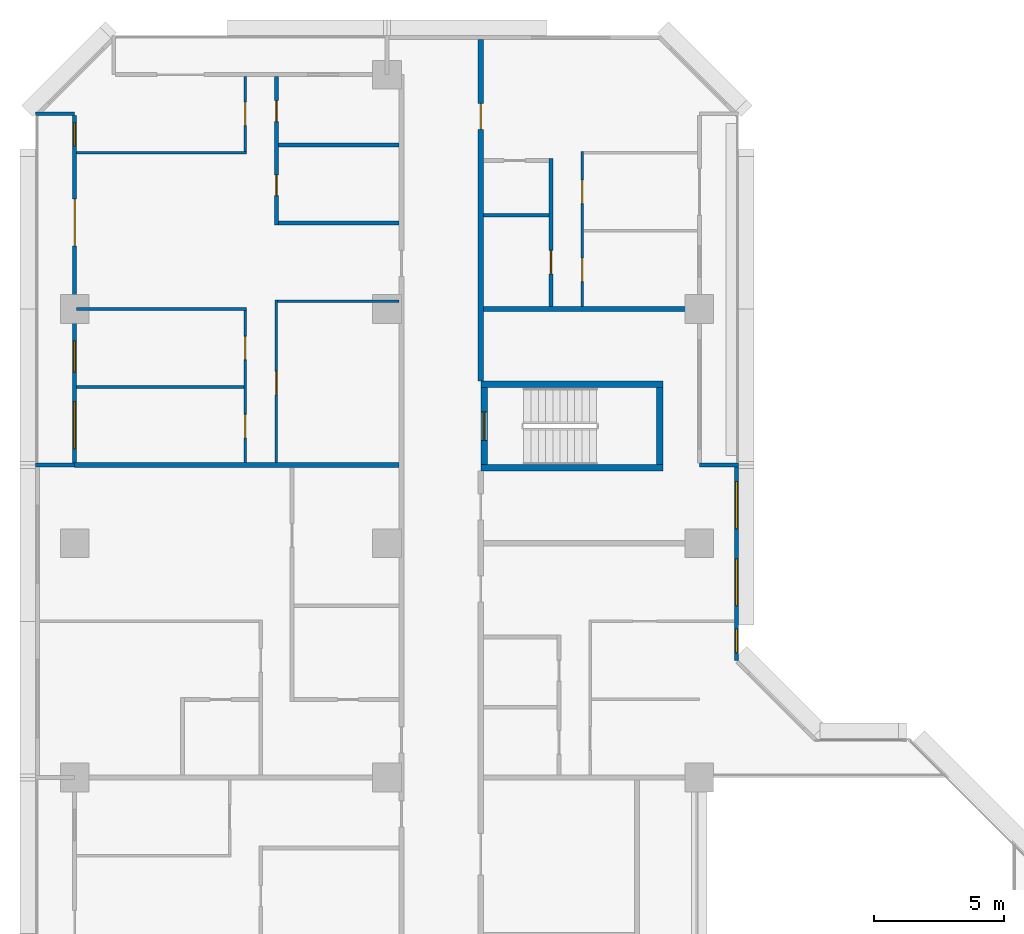
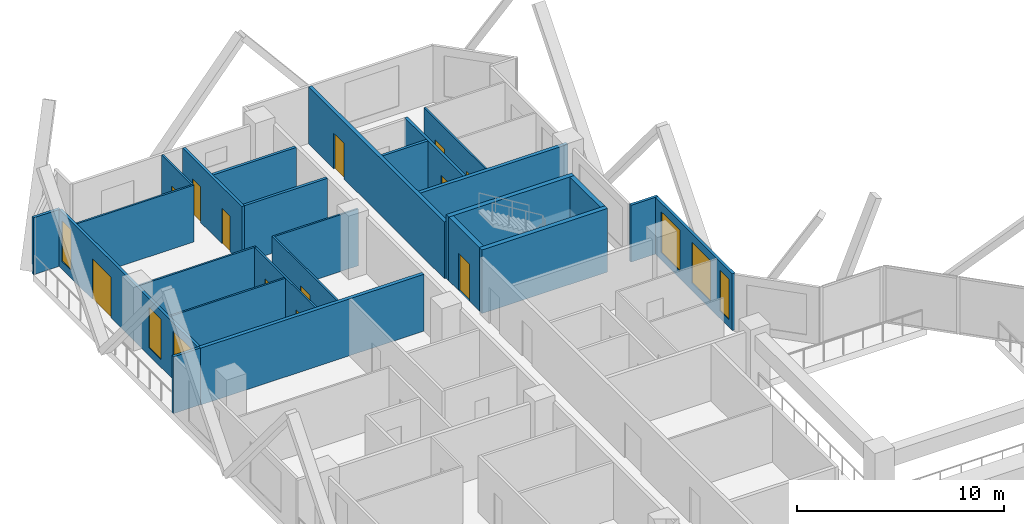
# One storey, part 10 of 16: 25 walls, 12 doors, 6 windows, 18 openings.
"""IFC4 building model written with IfcOpenShell, lengths in metres."""

from ifc_helpers import new_model, si_unit, direction, frame, frame_2d, origin, place, context, subcontext, project, spatial, rectangle, extrude, material, layer, layer_set, type_object, element, fill, save


model = new_model("IFC4")

# Units and contexts
model_context = context("Model", 3, precision=1e-05, world=origin(), true_north=direction((0.0, 1.0)))
body_context = subcontext(model_context, "Body", "Model", "MODEL_VIEW")
ifc_project = project(units=[si_unit("LENGTHUNIT", "METRE"), si_unit("AREAUNIT", "SQUARE_METRE"), si_unit("VOLUMEUNIT", "CUBIC_METRE"), si_unit("PLANEANGLEUNIT", "RADIAN"), si_unit("MASSUNIT", "GRAM", prefix="KILO")], contexts=[model_context])

# Site, building, storey
site_placement = place(None, origin())
site = spatial("IfcSite", under=ifc_project, at=site_placement, CompositionType="ELEMENT")
building_placement = place(site_placement, origin())
building = spatial("IfcBuilding", under=site, at=building_placement, Name="Chenar Terraces", CompositionType="ELEMENT")
storey_placement = place(building_placement, frame((0.0, 0.0, 78.89990234375)))
storey = spatial("IfcBuildingStorey", under=building, at=storey_placement, Name="L17", CompositionType="ELEMENT", Elevation=78.89990234375)

# Walls
ifc_material_1 = material(Name="Concrete C70/85", Category="concrete")
ifc_layer_1 = layer(ifc_material_1, 0.25)
ifc_layer_set_1 = layer_set([ifc_layer_1], Name="Concrete C70/85")
wall_type_1 = type_object("IfcWallType", Name="Core wall 250 Concrete C70/85", PredefinedType="SHEAR", material=ifc_layer_set_1)
for number, where, z_axis, x_axis, name in (
    (1, (15.60009765625, 47.89990234375, 0.0), (0.0, 0.0, 1.0), (1.0, 0.0, 0.0), "Core wall ST4_S L17"),
    (2, (15.60009765625, 51.10009765625, 0.0), (0.0, 0.0, 1.0), (1.0, 0.0, 0.0), "Core wall ST4_N L17"),
):
    element("IfcWall", number, at=place(storey_placement, frame(where, z_axis=z_axis, x_axis=x_axis)), inside=storey, type_object=wall_type_1, Name=name, PredefinedType="SHEAR", context=body_context, shape_type="SweptSolid", body=[
        extrude(rectangle(XDim=7.0, YDim=0.25, at=frame_2d((3.5, 0.0))), origin(), (0.0, 0.0, 1.0), 3.75),
    ])

# Wall, opening, door
wall_1_placement = place(storey_placement, frame((15.72509765625, 48.02490234375, 0.0), z_axis=(0.0, 0.0, 1.0), x_axis=(0.0, 1.0, 0.0)))
wall_1 = element("IfcWall", 3, at=wall_1_placement, inside=storey, type_object=wall_type_1, Name="Core wall ST4_W L17", PredefinedType="SHEAR", context=body_context, shape_type="SweptSolid", body=[
    extrude(rectangle(XDim=2.9501953125, YDim=0.25, at=frame_2d((1.47509765625, 0.0))), origin(), (0.0, 0.0, 1.0), 3.75),
])
opening_1_placement = place(wall_1_placement, frame((0.925048828125, 0.0, 0.0)))
opening_1 = element("IfcOpeningElement", 4, at=opening_1_placement, cuts=wall_1, Name="Opening DL17-C9", PredefinedType="OPENING", context=body_context, shape_type="SweptSolid", body=[
    extrude(rectangle(XDim=1.10009765625, YDim=2.199951171875, at=frame_2d((0.550048828125, 1.10009765625))), frame((0.0, 0.135009765625, 0.0), z_axis=(0.0, -1.0, 0.0), x_axis=(1.0, 0.0, 0.0)), (0.0, 0.0, 1.0), 0.27001953125),
])
ifc_material_2 = material(Name="Steel-framed fire-resisting door leaf", Category="steel")
door_type_1 = type_object("IfcDoorType", Name="Stair fire door FD60 1100 x 2200", OperationType="SINGLE_SWING_LEFT", PredefinedType="DOOR", material=ifc_material_2)
door_1_placement = place(opening_1_placement, frame((1.10009765625, 0.0, 0.0), z_axis=(0.0, 0.0, 1.0), x_axis=(-1.0, 0.0, 0.0)))
door_1 = element("IfcDoor", 5, at=door_1_placement, inside=storey, type_object=door_type_1, Name="Stair door DL17-C9", OperationType="SINGLE_SWING_RIGHT", OverallHeight=2.199951171875, OverallWidth=1.10009765625, PredefinedType="DOOR", context=body_context, shape_type="SweptSolid", body=[
    extrude(rectangle(XDim=1.10009765625, YDim=2.199951171875, at=frame_2d((0.550048828125, 1.10009765625))), frame((0.0, 0.02490234375, 0.0), z_axis=(0.0, -1.0, 0.0), x_axis=(1.0, 0.0, 0.0)), (0.0, 0.0, 1.0), 0.050048828125),
])
fill(opening_1, door_1)

# Wall
wall_2_placement = place(storey_placement, frame((22.47509765625, 48.02490234375, 0.0), z_axis=(0.0, 0.0, 1.0), x_axis=(0.0, 1.0, 0.0)))
element("IfcWall", 6, at=wall_2_placement, inside=storey, type_object=wall_type_1, Name="Core wall ST4_E L17", PredefinedType="SHEAR", context=body_context, shape_type="SweptSolid", body=[
    extrude(rectangle(XDim=2.9501953125, YDim=0.25, at=frame_2d((1.47509765625, 0.0))), origin(), (0.0, 0.0, 1.0), 3.75),
])

# Wall, opening, door
ifc_material_3 = material(Name="Gypsum board on steel studs with fire boards", Category="steel")
ifc_layer_2 = layer(ifc_material_3, 0.199951171875)
ifc_layer_set_2 = layer_set([ifc_layer_2], Name="Gypsum board on steel studs with fire boards")
wall_type_2 = type_object("IfcWallType", Name="Corridor wall 200", PredefinedType="PARTITIONING", material=ifc_layer_set_2)
wall_3_placement = place(storey_placement, frame((15.60009765625, 51.22509765625, 0.0), z_axis=(0.0, 0.0, 1.0), x_axis=(0.0, 1.0, 0.0)))
wall_3 = element("IfcWall", 7, at=wall_3_placement, inside=storey, type_object=wall_type_2, Name="Partition L17-038", PredefinedType="PARTITIONING", context=body_context, shape_type="SweptSolid", body=[
    extrude(rectangle(XDim=13.125, YDim=0.199951171875, at=frame_2d((6.5625, 0.0))), origin(), (0.0, 0.0, 1.0), 3.35009765625),
])
opening_2_placement = place(wall_3_placement, frame((9.675048828125, 0.0, 0.0)))
opening_2 = element("IfcOpeningElement", 8, at=opening_2_placement, cuts=wall_3, Name="Opening DL17-39", PredefinedType="OPENING", context=body_context, shape_type="SweptSolid", body=[
    extrude(rectangle(XDim=1.0, YDim=2.10009765625, at=frame_2d((0.5, 1.050048828125))), frame((0.0, 0.10986328125, 0.0), z_axis=(0.0, -1.0, 0.0), x_axis=(1.0, 0.0, 0.0)), (0.0, 0.0, 1.0), 0.219970703125),
])
ifc_material_4 = material(Name="Steel-framed fire-resisting door leaf", Category="steel")
door_type_2 = type_object("IfcDoorType", Name="Fire door FD30S 1000 x 2100", OperationType="SINGLE_SWING_LEFT", PredefinedType="DOOR", material=ifc_material_4)
door_2_placement = place(opening_2_placement, frame((1.0, 0.0, 0.0), z_axis=(0.0, 0.0, 1.0), x_axis=(-1.0, 0.0, 0.0)))
door_2 = element("IfcDoor", 9, at=door_2_placement, inside=storey, type_object=door_type_2, Name="Door DL17-39", OperationType="SINGLE_SWING_RIGHT", OverallHeight=2.10009765625, OverallWidth=1.0, PredefinedType="DOOR", context=body_context, shape_type="SweptSolid", body=[
    extrude(rectangle(XDim=1.0, YDim=2.10009765625, at=frame_2d((0.5, 1.050048828125))), frame((0.0, 0.02490234375, 0.0), z_axis=(0.0, -1.0, 0.0), x_axis=(1.0, 0.0, 0.0)), (0.0, 0.0, 1.0), 0.050048828125),
])
fill(opening_2, door_2)

# Wall, openings, windows
ifc_material_5 = material(Name="Aluminium framed glazing", Category="aluminium")
ifc_layer_3 = layer(ifc_material_5, 0.14990234375)
ifc_layer_set_3 = layer_set([ifc_layer_3], Name="Aluminium framed glazing")
wall_type_3 = type_object("IfcWallType", Name="Glazed flush facade wall 150", PredefinedType="SOLIDWALL", material=ifc_layer_set_3)
wall_4_placement = place(storey_placement, frame((25.425048828125, 40.5, 0.0), z_axis=(0.0, 0.0, 1.0), x_axis=(0.0, 1.0, 0.0)))
wall_4 = element("IfcWall", 10, at=wall_4_placement, inside=storey, type_object=wall_type_3, Name="Glazed flush facade wall", PredefinedType="SOLIDWALL", context=body_context, shape_type="SweptSolid", body=[
    extrude(rectangle(XDim=7.425048828125, YDim=0.14990234375, at=frame_2d((3.71240234375, 0.0))), origin(), (0.0, 0.0, 1.0), 3.35009765625),
])
opening_3_placement = place(wall_4_placement, frame((0.300048828125, 0.0, 0.449951171875)))
opening_3 = element("IfcOpeningElement", 11, at=opening_3_placement, cuts=wall_4, Name="Opening W90x240", PredefinedType="OPENING", context=body_context, shape_type="SweptSolid", body=[
    extrude(rectangle(XDim=0.89990234375, YDim=2.39990234375, at=frame_2d((0.449951171875, 1.199951171875))), frame((0.0, 0.0849609375, 0.0), z_axis=(0.0, -1.0, 0.0), x_axis=(1.0, 0.0, 0.0)), (0.0, 0.0, 1.0), 0.169921875),
])
opening_4_placement = place(wall_4_placement, frame((2.10009765625, 0.0, 0.449951171875)))
opening_4 = element("IfcOpeningElement", 12, at=opening_4_placement, cuts=wall_4, Name="Opening W180x240", PredefinedType="OPENING", context=body_context, shape_type="SweptSolid", body=[
    extrude(rectangle(XDim=1.800048828125, YDim=2.39990234375, at=frame_2d((0.89990234375, 1.199951171875))), frame((0.0, 0.0849609375, 0.0), z_axis=(0.0, -1.0, 0.0), x_axis=(1.0, 0.0, 0.0)), (0.0, 0.0, 1.0), 0.169921875),
])
opening_5_placement = place(wall_4_placement, frame((5.0625, 0.0, 0.449951171875)))
opening_5 = element("IfcOpeningElement", 13, at=opening_5_placement, cuts=wall_4, Name="Opening W180x240", PredefinedType="OPENING", context=body_context, shape_type="SweptSolid", body=[
    extrude(rectangle(XDim=1.800048828125, YDim=2.39990234375, at=frame_2d((0.89990234375, 1.199951171875))), frame((0.0, 0.0849609375, 0.0), z_axis=(0.0, -1.0, 0.0), x_axis=(1.0, 0.0, 0.0)), (0.0, 0.0, 1.0), 0.169921875),
])
ifc_material_6 = material(Name="Low emissivity double glazing, aluminium frame", Category="aluminium")
window_type_1 = type_object("IfcWindowType", Name="Fixed light 1800 x 2400", PartitioningType="SINGLE_PANEL", PredefinedType="WINDOW", material=ifc_material_6)
window_1_placement = place(opening_4_placement, origin())
window_1 = element("IfcWindow", 14, at=window_1_placement, inside=storey, type_object=window_type_1, Name="Window", OverallHeight=2.39990234375, OverallWidth=1.800048828125, PartitioningType="SINGLE_PANEL", PredefinedType="WINDOW", context=body_context, shape_type="SweptSolid", body=[
    extrude(rectangle(XDim=1.800048828125, YDim=2.39990234375, at=frame_2d((0.89990234375, 1.199951171875))), frame((0.0, 0.030029296875, 0.0), z_axis=(0.0, -1.0, 0.0), x_axis=(1.0, 0.0, 0.0)), (0.0, 0.0, 1.0), 0.06005859375),
])
fill(opening_4, window_1)
window_2_placement = place(opening_5_placement, origin())
window_2 = element("IfcWindow", 15, at=window_2_placement, inside=storey, type_object=window_type_1, Name="Window", OverallHeight=2.39990234375, OverallWidth=1.800048828125, PartitioningType="SINGLE_PANEL", PredefinedType="WINDOW", context=body_context, shape_type="SweptSolid", body=[
    extrude(rectangle(XDim=1.800048828125, YDim=2.39990234375, at=frame_2d((0.89990234375, 1.199951171875))), frame((0.0, 0.030029296875, 0.0), z_axis=(0.0, -1.0, 0.0), x_axis=(1.0, 0.0, 0.0)), (0.0, 0.0, 1.0), 0.06005859375),
])
fill(opening_5, window_2)
ifc_material_7 = material(Name="Low emissivity double glazing, aluminium frame", Category="aluminium")
window_type_2 = type_object("IfcWindowType", Name="Fixed light 900 x 2400", PartitioningType="SINGLE_PANEL", PredefinedType="WINDOW", material=ifc_material_7)
window_3_placement = place(opening_3_placement, origin())
window_3 = element("IfcWindow", 16, at=window_3_placement, inside=storey, type_object=window_type_2, Name="Window", OverallHeight=2.39990234375, OverallWidth=0.89990234375, PartitioningType="SINGLE_PANEL", PredefinedType="WINDOW", context=body_context, shape_type="SweptSolid", body=[
    extrude(rectangle(XDim=0.89990234375, YDim=2.39990234375, at=frame_2d((0.449951171875, 1.199951171875))), frame((0.0, 0.030029296875, 0.0), z_axis=(0.0, -1.0, 0.0), x_axis=(1.0, 0.0, 0.0)), (0.0, 0.0, 1.0), 0.06005859375),
])
fill(opening_3, window_3)

# Wall, openings, windows, door
ifc_material_8 = material(Name="Aluminium framed glazing", Category="aluminium")
ifc_layer_4 = layer(ifc_material_8, 0.14990234375)
ifc_layer_set_4 = layer_set([ifc_layer_4], Name="Aluminium framed glazing")
wall_type_4 = type_object("IfcWallType", Name="Glazed loggia back wall 150", PredefinedType="SOLIDWALL", material=ifc_layer_set_4)
wall_5_placement = place(storey_placement, frame((0.0, 61.425048828125, 0.0), z_axis=(0.0, 0.0, 1.0), x_axis=(0.0, -1.0, 0.0)))
wall_5 = element("IfcWall", 17, at=wall_5_placement, inside=storey, type_object=wall_type_4, Name="Glazed loggia back wall", PredefinedType="SOLIDWALL", context=body_context, shape_type="SweptSolid", body=[
    extrude(rectangle(XDim=13.35009765625, YDim=0.14990234375, at=frame_2d((6.675048828125, 0.0))), origin(), (0.0, 0.0, 1.0), 3.35009765625),
])
opening_6_placement = place(wall_5_placement, frame((0.262451171875, 0.0, 0.449951171875)))
opening_6 = element("IfcOpeningElement", 18, at=opening_6_placement, cuts=wall_5, Name="Opening W90x240", PredefinedType="OPENING", context=body_context, shape_type="SweptSolid", body=[
    extrude(rectangle(XDim=0.89990234375, YDim=2.39990234375, at=frame_2d((0.449951171875, 1.199951171875))), frame((0.0, 0.0849609375, 0.0), z_axis=(0.0, -1.0, 0.0), x_axis=(1.0, 0.0, 0.0)), (0.0, 0.0, 1.0), 0.169921875),
])
opening_7_placement = place(wall_5_placement, frame((3.199951171875, 0.0, 0.0)))
opening_7 = element("IfcOpeningElement", 19, at=opening_7_placement, cuts=wall_5, Name="Opening DL17-G3", PredefinedType="OPENING", context=body_context, shape_type="SweptSolid", body=[
    extrude(rectangle(XDim=1.800048828125, YDim=2.39990234375, at=frame_2d((0.89990234375, 1.199951171875))), frame((0.0, 0.0849609375, 0.0), z_axis=(0.0, -1.0, 0.0), x_axis=(1.0, 0.0, 0.0)), (0.0, 0.0, 1.0), 0.169921875),
])
opening_8_placement = place(wall_5_placement, frame((8.64990234375, 0.0, 0.449951171875)))
opening_8 = element("IfcOpeningElement", 20, at=opening_8_placement, cuts=wall_5, Name="Opening W120x240", PredefinedType="OPENING", context=body_context, shape_type="SweptSolid", body=[
    extrude(rectangle(XDim=1.199951171875, YDim=2.39990234375, at=frame_2d((0.60009765625, 1.199951171875))), frame((0.0, 0.0849609375, 0.0), z_axis=(0.0, -1.0, 0.0), x_axis=(1.0, 0.0, 0.0)), (0.0, 0.0, 1.0), 0.169921875),
])
opening_9_placement = place(wall_5_placement, frame((10.987548828125, 0.0, 0.449951171875)))
opening_9 = element("IfcOpeningElement", 21, at=opening_9_placement, cuts=wall_5, Name="Opening W180x240", PredefinedType="OPENING", context=body_context, shape_type="SweptSolid", body=[
    extrude(rectangle(XDim=1.800048828125, YDim=2.39990234375, at=frame_2d((0.89990234375, 1.199951171875))), frame((0.0, 0.0849609375, 0.0), z_axis=(0.0, -1.0, 0.0), x_axis=(1.0, 0.0, 0.0)), (0.0, 0.0, 1.0), 0.169921875),
])
ifc_material_9 = material(Name="Low emissivity double glazing, aluminium frame", Category="aluminium")
window_type_3 = type_object("IfcWindowType", Name="Fixed light 1200 x 2400", PartitioningType="SINGLE_PANEL", PredefinedType="WINDOW", material=ifc_material_9)
window_4_placement = place(opening_8_placement, origin())
window_4 = element("IfcWindow", 22, at=window_4_placement, inside=storey, type_object=window_type_3, Name="Window", OverallHeight=2.39990234375, OverallWidth=1.199951171875, PartitioningType="SINGLE_PANEL", PredefinedType="WINDOW", context=body_context, shape_type="SweptSolid", body=[
    extrude(rectangle(XDim=1.199951171875, YDim=2.39990234375, at=frame_2d((0.60009765625, 1.199951171875))), frame((0.0, 0.030029296875, 0.0), z_axis=(0.0, -1.0, 0.0), x_axis=(1.0, 0.0, 0.0)), (0.0, 0.0, 1.0), 0.06005859375),
])
fill(opening_8, window_4)
window_5_placement = place(opening_9_placement, origin())
window_5 = element("IfcWindow", 23, at=window_5_placement, inside=storey, type_object=window_type_1, Name="Window", OverallHeight=2.39990234375, OverallWidth=1.800048828125, PartitioningType="SINGLE_PANEL", PredefinedType="WINDOW", context=body_context, shape_type="SweptSolid", body=[
    extrude(rectangle(XDim=1.800048828125, YDim=2.39990234375, at=frame_2d((0.89990234375, 1.199951171875))), frame((0.0, 0.030029296875, 0.0), z_axis=(0.0, -1.0, 0.0), x_axis=(1.0, 0.0, 0.0)), (0.0, 0.0, 1.0), 0.06005859375),
])
fill(opening_9, window_5)
window_6_placement = place(opening_6_placement, origin())
window_6 = element("IfcWindow", 24, at=window_6_placement, inside=storey, type_object=window_type_2, Name="Window", OverallHeight=2.39990234375, OverallWidth=0.89990234375, PartitioningType="SINGLE_PANEL", PredefinedType="WINDOW", context=body_context, shape_type="SweptSolid", body=[
    extrude(rectangle(XDim=0.89990234375, YDim=2.39990234375, at=frame_2d((0.449951171875, 1.199951171875))), frame((0.0, 0.030029296875, 0.0), z_axis=(0.0, -1.0, 0.0), x_axis=(1.0, 0.0, 0.0)), (0.0, 0.0, 1.0), 0.06005859375),
])
fill(opening_6, window_6)
ifc_material_10 = material(Name="Low emissivity double glazing, aluminium frame", Category="aluminium")
door_type_3 = type_object("IfcDoorType", Name="Loggia glazed double door 1800 x 2400", OperationType="DOUBLE_DOOR_SINGLE_SWING", PredefinedType="DOOR", material=ifc_material_10)
door_3_placement = place(opening_7_placement, frame((1.800048828125, 0.0, 0.0), z_axis=(0.0, 0.0, 1.0), x_axis=(-1.0, 0.0, 0.0)))
door_3 = element("IfcDoor", 25, at=door_3_placement, inside=storey, type_object=door_type_3, Name="Loggia glazed door", OperationType="DOUBLE_DOOR_SINGLE_SWING", OverallHeight=2.39990234375, OverallWidth=1.800048828125, PredefinedType="DOOR", context=body_context, shape_type="SweptSolid", body=[
    extrude(rectangle(XDim=1.800048828125, YDim=2.39990234375, at=frame_2d((0.89990234375, 1.199951171875))), frame((0.0, 0.02490234375, 0.0), z_axis=(0.0, -1.0, 0.0), x_axis=(1.0, 0.0, 0.0)), (0.0, 0.0, 1.0), 0.050048828125),
])
fill(opening_7, door_3)

# Walls
ifc_material_11 = material(Name="Gypsum board on steel studs", Category="steel")
ifc_layer_5 = layer(ifc_material_11, 0.10009765625)
ifc_layer_set_5 = layer_set([ifc_layer_5], Name="Gypsum board on steel studs")
wall_type_5 = type_object("IfcWallType", Name="Gypsum partition 100", PredefinedType="PARTITIONING", material=ifc_layer_set_5)
wall_6_placement = place(storey_placement, frame((0.073974609375, 51.0, 0.0), z_axis=(0.0, 0.0, 1.0), x_axis=(1.0, 0.0, 0.0)))
element("IfcWall", 26, at=wall_6_placement, inside=storey, type_object=wall_type_5, Name="Partition L17-008", PredefinedType="PARTITIONING", context=body_context, shape_type="SweptSolid", body=[
    extrude(rectangle(XDim=6.426025390625, YDim=0.10009765625, at=frame_2d((3.212890625, 0.0))), origin(), (0.0, 0.0, 1.0), 3.35009765625),
])
for number, where, z_axis, x_axis, name in (
    (27, (0.073974609375, 54.0, 0.0), (0.0, 0.0, 1.0), (1.0, 0.0, 0.0), "Partition L17-009"),
    (28, (0.073974609375, 60.0, 0.0), (0.0, 0.0, 1.0), (1.0, 0.0, 0.0), "Partition L17-010"),
):
    element("IfcWall", number, at=place(storey_placement, frame(where, z_axis=z_axis, x_axis=x_axis)), inside=storey, type_object=wall_type_5, Name=name, PredefinedType="PARTITIONING", context=body_context, shape_type="SweptSolid", body=[
        extrude(rectangle(XDim=6.526123046875, YDim=0.10009765625, at=frame_2d((3.26318359375, 0.0))), origin(), (0.0, 0.0, 1.0), 3.35009765625),
    ])

# Wall, openings, doors
wall_7_placement = place(storey_placement, frame((6.550048828125, 48.10009765625, 0.0), z_axis=(0.0, 0.0, 1.0), x_axis=(0.0, 1.0, 0.0)))
wall_7 = element("IfcWall", 29, at=wall_7_placement, inside=storey, type_object=wall_type_5, Name="Partition L17-016", PredefinedType="PARTITIONING", context=body_context, shape_type="SweptSolid", body=[
    extrude(rectangle(XDim=5.849853515625, YDim=0.10009765625, at=frame_2d((2.9248046875, 0.0))), origin(), (0.0, 0.0, 1.0), 3.35009765625),
])
opening_10_placement = place(wall_7_placement, frame((0.949951171875, 0.0, 0.0)))
opening_10 = element("IfcOpeningElement", 30, at=opening_10_placement, cuts=wall_7, Name="Opening DL17-46", PredefinedType="OPENING", context=body_context, shape_type="SweptSolid", body=[
    extrude(rectangle(XDim=0.89990234375, YDim=2.10009765625, at=frame_2d((0.449951171875, 1.050048828125))), frame((0.0, 0.06005859375, 0.0), z_axis=(0.0, -1.0, 0.0), x_axis=(1.0, 0.0, 0.0)), (0.0, 0.0, 1.0), 0.1201171875),
])
opening_11_placement = place(wall_7_placement, frame((3.949951171875, 0.0, 0.0)))
opening_11 = element("IfcOpeningElement", 31, at=opening_11_placement, cuts=wall_7, Name="Opening DL17-51", PredefinedType="OPENING", context=body_context, shape_type="SweptSolid", body=[
    extrude(rectangle(XDim=0.89990234375, YDim=2.10009765625, at=frame_2d((0.449951171875, 1.050048828125))), frame((0.0, 0.06005859375, 0.0), z_axis=(0.0, -1.0, 0.0), x_axis=(1.0, 0.0, 0.0)), (0.0, 0.0, 1.0), 0.1201171875),
])
ifc_material_12 = material(Name="Veneered timber door leaf", Category="wood")
door_type_4 = type_object("IfcDoorType", Name="Door 900 x 2100", OperationType="SINGLE_SWING_LEFT", PredefinedType="DOOR", material=ifc_material_12)
door_4_placement = place(opening_10_placement, origin())
door_4 = element("IfcDoor", 32, at=door_4_placement, inside=storey, type_object=door_type_4, Name="Door DL17-46", OperationType="SINGLE_SWING_RIGHT", OverallHeight=2.10009765625, OverallWidth=0.89990234375, PredefinedType="DOOR", context=body_context, shape_type="SweptSolid", body=[
    extrude(rectangle(XDim=0.89990234375, YDim=2.10009765625, at=frame_2d((0.449951171875, 1.050048828125))), frame((0.0, 0.02490234375, 0.0), z_axis=(0.0, -1.0, 0.0), x_axis=(1.0, 0.0, 0.0)), (0.0, 0.0, 1.0), 0.050048828125),
])
fill(opening_10, door_4)
door_5_placement = place(opening_11_placement, origin())
door_5 = element("IfcDoor", 33, at=door_5_placement, inside=storey, type_object=door_type_4, Name="Door DL17-51", OperationType="SINGLE_SWING_RIGHT", OverallHeight=2.10009765625, OverallWidth=0.89990234375, PredefinedType="DOOR", context=body_context, shape_type="SweptSolid", body=[
    extrude(rectangle(XDim=0.89990234375, YDim=2.10009765625, at=frame_2d((0.449951171875, 1.050048828125))), frame((0.0, 0.02490234375, 0.0), z_axis=(0.0, -1.0, 0.0), x_axis=(1.0, 0.0, 0.0)), (0.0, 0.0, 1.0), 0.050048828125),
])
fill(opening_11, door_5)

# Wall, opening, door
wall_8_placement = place(storey_placement, frame((6.550048828125, 60.050048828125, 0.0), z_axis=(0.0, 0.0, 1.0), x_axis=(0.0, 1.0, 0.0)))
wall_8 = element("IfcWall", 34, at=wall_8_placement, inside=storey, type_object=wall_type_5, Name="Partition L17-017", PredefinedType="PARTITIONING", context=body_context, shape_type="SweptSolid", body=[
    extrude(rectangle(XDim=2.8759765625, YDim=0.10009765625, at=frame_2d((1.43798828125, 0.0))), origin(), (0.0, 0.0, 1.0), 3.35009765625),
])
opening_12_placement = place(wall_8_placement, frame((1.0, 0.0, 0.0)))
opening_12 = element("IfcOpeningElement", 35, at=opening_12_placement, cuts=wall_8, Name="Opening DL17-47", PredefinedType="OPENING", context=body_context, shape_type="SweptSolid", body=[
    extrude(rectangle(XDim=0.89990234375, YDim=2.10009765625, at=frame_2d((0.449951171875, 1.050048828125))), frame((0.0, 0.06005859375, 0.0), z_axis=(0.0, -1.0, 0.0), x_axis=(1.0, 0.0, 0.0)), (0.0, 0.0, 1.0), 0.1201171875),
])
door_6_placement = place(opening_12_placement, origin())
door_6 = element("IfcDoor", 36, at=door_6_placement, inside=storey, type_object=door_type_4, Name="Door DL17-47", OperationType="SINGLE_SWING_RIGHT", OverallHeight=2.10009765625, OverallWidth=0.89990234375, PredefinedType="DOOR", context=body_context, shape_type="SweptSolid", body=[
    extrude(rectangle(XDim=0.89990234375, YDim=2.10009765625, at=frame_2d((0.449951171875, 1.050048828125))), frame((0.0, 0.02490234375, 0.0), z_axis=(0.0, -1.0, 0.0), x_axis=(1.0, 0.0, 0.0)), (0.0, 0.0, 1.0), 0.050048828125),
])
fill(opening_12, door_6)

wall_9_placement = place(storey_placement, frame((7.75, 48.10009765625, 0.0), z_axis=(0.0, 0.0, 1.0), x_axis=(0.0, 1.0, 0.0)))
wall_9 = element("IfcWall", 37, at=wall_9_placement, inside=storey, type_object=wall_type_5, Name="Partition L17-022", PredefinedType="PARTITIONING", context=body_context, shape_type="SweptSolid", body=[
    extrude(rectangle(XDim=6.25, YDim=0.10009765625, at=frame_2d((3.125, 0.0))), origin(), (0.0, 0.0, 1.0), 3.35009765625),
])
opening_13_placement = place(wall_9_placement, frame((2.60009765625, 0.0, 0.0)))
opening_13 = element("IfcOpeningElement", 38, at=opening_13_placement, cuts=wall_9, Name="Opening DL17-48", PredefinedType="OPENING", context=body_context, shape_type="SweptSolid", body=[
    extrude(rectangle(XDim=0.89990234375, YDim=2.10009765625, at=frame_2d((0.449951171875, 1.050048828125))), frame((0.0, 0.06005859375, 0.0), z_axis=(0.0, -1.0, 0.0), x_axis=(1.0, 0.0, 0.0)), (0.0, 0.0, 1.0), 0.1201171875),
])
door_7_placement = place(opening_13_placement, frame((0.89990234375, 0.0, 0.0), z_axis=(0.0, 0.0, 1.0), x_axis=(-1.0, 0.0, 0.0)))
door_7 = element("IfcDoor", 39, at=door_7_placement, inside=storey, type_object=door_type_4, Name="Door DL17-48", OperationType="SINGLE_SWING_LEFT", OverallHeight=2.10009765625, OverallWidth=0.89990234375, PredefinedType="DOOR", context=body_context, shape_type="SweptSolid", body=[
    extrude(rectangle(XDim=0.89990234375, YDim=2.10009765625, at=frame_2d((0.449951171875, 1.050048828125))), frame((0.0, 0.02490234375, 0.0), z_axis=(0.0, -1.0, 0.0), x_axis=(1.0, 0.0, 0.0)), (0.0, 0.0, 1.0), 0.050048828125),
])
fill(opening_13, door_7)

# Wall
wall_10_placement = place(storey_placement, frame((7.800048828125, 54.300048828125, 0.0), z_axis=(0.0, 0.0, 1.0), x_axis=(1.0, 0.0, 0.0)))
element("IfcWall", 40, at=wall_10_placement, inside=storey, type_object=wall_type_5, Name="Partition L17-024", PredefinedType="PARTITIONING", context=body_context, shape_type="SweptSolid", body=[
    extrude(rectangle(XDim=4.64990234375, YDim=0.10009765625, at=frame_2d((2.324951171875, 0.0))), origin(), (0.0, 0.0, 1.0), 3.35009765625),
])

# Wall, openings, doors
wall_11_placement = place(storey_placement, frame((19.5, 54.10009765625, 0.0), z_axis=(0.0, 0.0, 1.0), x_axis=(0.0, 1.0, 0.0)))
wall_11 = element("IfcWall", 41, at=wall_11_placement, inside=storey, type_object=wall_type_5, Name="Partition L17-051", PredefinedType="PARTITIONING", context=body_context, shape_type="SweptSolid", body=[
    extrude(rectangle(XDim=5.949951171875, YDim=0.10009765625, at=frame_2d((2.97509765625, 0.0))), origin(), (0.0, 0.0, 1.0), 3.35009765625),
])
opening_14_placement = place(wall_11_placement, frame((0.949951171875, 0.0, 0.0)))
opening_14 = element("IfcOpeningElement", 42, at=opening_14_placement, cuts=wall_11, Name="Opening DL17-36", PredefinedType="OPENING", context=body_context, shape_type="SweptSolid", body=[
    extrude(rectangle(XDim=0.89990234375, YDim=2.10009765625, at=frame_2d((0.449951171875, 1.050048828125))), frame((0.0, 0.06005859375, 0.0), z_axis=(0.0, -1.0, 0.0), x_axis=(1.0, 0.0, 0.0)), (0.0, 0.0, 1.0), 0.1201171875),
])
opening_15_placement = place(wall_11_placement, frame((3.949951171875, 0.0, 0.0)))
opening_15 = element("IfcOpeningElement", 43, at=opening_15_placement, cuts=wall_11, Name="Opening DL17-37", PredefinedType="OPENING", context=body_context, shape_type="SweptSolid", body=[
    extrude(rectangle(XDim=0.89990234375, YDim=2.10009765625, at=frame_2d((0.449951171875, 1.050048828125))), frame((0.0, 0.06005859375, 0.0), z_axis=(0.0, -1.0, 0.0), x_axis=(1.0, 0.0, 0.0)), (0.0, 0.0, 1.0), 0.1201171875),
])
door_8_placement = place(opening_14_placement, frame((0.89990234375, 0.0, 0.0), z_axis=(0.0, 0.0, 1.0), x_axis=(-1.0, 0.0, 0.0)))
door_8 = element("IfcDoor", 44, at=door_8_placement, inside=storey, type_object=door_type_4, Name="Door DL17-36", OperationType="SINGLE_SWING_LEFT", OverallHeight=2.10009765625, OverallWidth=0.89990234375, PredefinedType="DOOR", context=body_context, shape_type="SweptSolid", body=[
    extrude(rectangle(XDim=0.89990234375, YDim=2.10009765625, at=frame_2d((0.449951171875, 1.050048828125))), frame((0.0, 0.02490234375, 0.0), z_axis=(0.0, -1.0, 0.0), x_axis=(1.0, 0.0, 0.0)), (0.0, 0.0, 1.0), 0.050048828125),
])
fill(opening_14, door_8)
door_9_placement = place(opening_15_placement, frame((0.89990234375, 0.0, 0.0), z_axis=(0.0, 0.0, 1.0), x_axis=(-1.0, 0.0, 0.0)))
door_9 = element("IfcDoor", 45, at=door_9_placement, inside=storey, type_object=door_type_4, Name="Door DL17-37", OperationType="SINGLE_SWING_LEFT", OverallHeight=2.10009765625, OverallWidth=0.89990234375, PredefinedType="DOOR", context=body_context, shape_type="SweptSolid", body=[
    extrude(rectangle(XDim=0.89990234375, YDim=2.10009765625, at=frame_2d((0.449951171875, 1.050048828125))), frame((0.0, 0.02490234375, 0.0), z_axis=(0.0, -1.0, 0.0), x_axis=(1.0, 0.0, 0.0)), (0.0, 0.0, 1.0), 0.050048828125),
])
fill(opening_15, door_9)

# Walls
ifc_material_13 = material(Name="Terracotta cladding on insulated backing", Category="masonry")
ifc_layer_6 = layer(ifc_material_13, 0.14990234375)
ifc_layer_set_6 = layer_set([ifc_layer_6], Name="Terracotta cladding on insulated backing")
wall_type_6 = type_object("IfcWallType", Name="Loggia return wall 150", PredefinedType="SOLIDWALL", material=ifc_layer_set_6)
for number, where, z_axis, x_axis, name in (
    (46, (25.5, 48.0, 0.0), (0.0, 0.0, 1.0), (-1.0, 0.0, 0.0), "Loggia return wall"),
    (47, (-1.5, 61.5, 0.0), (0.0, 0.0, 1.0), (1.0, 0.0, 0.0), "Loggia return wall"),
    (48, (-1.5, 48.0, 0.0), (0.0, 0.0, 1.0), (1.0, 0.0, 0.0), "Loggia return wall"),
):
    element("IfcWall", number, at=place(storey_placement, frame(where, z_axis=z_axis, x_axis=x_axis)), inside=storey, type_object=wall_type_6, Name=name, PredefinedType="SOLIDWALL", context=body_context, shape_type="SweptSolid", body=[
        extrude(rectangle(XDim=1.5, YDim=0.14990234375, at=frame_2d((0.75, 0.0))), origin(), (0.0, 0.0, 1.0), 3.35009765625),
    ])
ifc_material_14 = material(Name="Twin gypsum board on steel studs with mineral wool", Category="steel")
ifc_layer_7 = layer(ifc_material_14, 0.199951171875)
ifc_layer_set_7 = layer_set([ifc_layer_7], Name="Twin gypsum board on steel studs with mineral wool")
wall_type_7 = type_object("IfcWallType", Name="Unit demising wall 200", PredefinedType="PARTITIONING", material=ifc_layer_set_7)
wall_12_placement = place(storey_placement, frame((0.0, 48.0, 0.0), z_axis=(0.0, 0.0, 1.0), x_axis=(1.0, 0.0, 0.0)))
element("IfcWall", 49, at=wall_12_placement, inside=storey, type_object=wall_type_7, Name="Partition L17-005", PredefinedType="PARTITIONING", context=body_context, shape_type="SweptSolid", body=[
    extrude(rectangle(XDim=12.449951171875, YDim=0.199951171875, at=frame_2d((6.22509765625, 0.0))), origin(), (0.0, 0.0, 1.0), 3.35009765625),
])
wall_13_placement = place(storey_placement, frame((15.699951171875, 54.0, 0.0), z_axis=(0.0, 0.0, 1.0), x_axis=(1.0, 0.0, 0.0)))
element("IfcWall", 50, at=wall_13_placement, inside=storey, type_object=wall_type_7, Name="Partition L17-045", PredefinedType="PARTITIONING", context=body_context, shape_type="SweptSolid", body=[
    extrude(rectangle(XDim=8.22607421875, YDim=0.199951171875, at=frame_2d((4.113037109375, 0.0))), origin(), (0.0, 0.0, 1.0), 3.35009765625),
])

# Wall, openings, doors
ifc_material_15 = material(Name="Moisture-resistant gypsum board on steel studs", Category="steel")
ifc_layer_8 = layer(ifc_material_15, 0.14990234375)
ifc_layer_set_8 = layer_set([ifc_layer_8], Name="Moisture-resistant gypsum board on steel studs")
wall_type_8 = type_object("IfcWallType", Name="Wet-room partition 150", PredefinedType="PARTITIONING", material=ifc_layer_set_8)
wall_14_placement = place(storey_placement, frame((7.75, 57.22509765625, 0.0), z_axis=(0.0, 0.0, 1.0), x_axis=(0.0, 1.0, 0.0)))
wall_14 = element("IfcWall", 51, at=wall_14_placement, inside=storey, type_object=wall_type_8, Name="Partition L17-023", PredefinedType="PARTITIONING", context=body_context, shape_type="SweptSolid", body=[
    extrude(rectangle(XDim=5.700927734375, YDim=0.14990234375, at=frame_2d((2.8505859375, 0.0))), origin(), (0.0, 0.0, 1.0), 3.35009765625),
])
opening_16_placement = place(wall_14_placement, frame((1.125, 0.0, 0.0)))
opening_16 = element("IfcOpeningElement", 52, at=opening_16_placement, cuts=wall_14, Name="Opening DL17-45", PredefinedType="OPENING", context=body_context, shape_type="SweptSolid", body=[
    extrude(rectangle(XDim=0.800048828125, YDim=2.10009765625, at=frame_2d((0.39990234375, 1.050048828125))), frame((0.0, 0.0849609375, 0.0), z_axis=(0.0, -1.0, 0.0), x_axis=(1.0, 0.0, 0.0)), (0.0, 0.0, 1.0), 0.169921875),
])
opening_17_placement = place(wall_14_placement, frame((3.97509765625, 0.0, 0.0)))
opening_17 = element("IfcOpeningElement", 53, at=opening_17_placement, cuts=wall_14, Name="Opening DL17-49", PredefinedType="OPENING", context=body_context, shape_type="SweptSolid", body=[
    extrude(rectangle(XDim=0.800048828125, YDim=2.10009765625, at=frame_2d((0.39990234375, 1.050048828125))), frame((0.0, 0.0849609375, 0.0), z_axis=(0.0, -1.0, 0.0), x_axis=(1.0, 0.0, 0.0)), (0.0, 0.0, 1.0), 0.169921875),
])
ifc_material_16 = material(Name="Veneered timber door leaf", Category="wood")
door_type_5 = type_object("IfcDoorType", Name="Door 800 x 2100", OperationType="SINGLE_SWING_LEFT", PredefinedType="DOOR", material=ifc_material_16)
door_10_placement = place(opening_16_placement, frame((0.800048828125, 0.0, 0.0), z_axis=(0.0, 0.0, 1.0), x_axis=(-1.0, 0.0, 0.0)))
door_10 = element("IfcDoor", 54, at=door_10_placement, inside=storey, type_object=door_type_5, Name="Door DL17-45", OperationType="SINGLE_SWING_RIGHT", OverallHeight=2.10009765625, OverallWidth=0.800048828125, PredefinedType="DOOR", context=body_context, shape_type="SweptSolid", body=[
    extrude(rectangle(XDim=0.800048828125, YDim=2.10009765625, at=frame_2d((0.39990234375, 1.050048828125))), frame((0.0, 0.02490234375, 0.0), z_axis=(0.0, -1.0, 0.0), x_axis=(1.0, 0.0, 0.0)), (0.0, 0.0, 1.0), 0.050048828125),
])
fill(opening_16, door_10)
door_11_placement = place(opening_17_placement, frame((0.800048828125, 0.0, 0.0), z_axis=(0.0, 0.0, 1.0), x_axis=(-1.0, 0.0, 0.0)))
door_11 = element("IfcDoor", 55, at=door_11_placement, inside=storey, type_object=door_type_5, Name="Door DL17-49", OperationType="SINGLE_SWING_RIGHT", OverallHeight=2.10009765625, OverallWidth=0.800048828125, PredefinedType="DOOR", context=body_context, shape_type="SweptSolid", body=[
    extrude(rectangle(XDim=0.800048828125, YDim=2.10009765625, at=frame_2d((0.39990234375, 1.050048828125))), frame((0.0, 0.02490234375, 0.0), z_axis=(0.0, -1.0, 0.0), x_axis=(1.0, 0.0, 0.0)), (0.0, 0.0, 1.0), 0.050048828125),
])
fill(opening_17, door_11)

# Walls
for number, where, z_axis, x_axis, name in (
    (56, (7.824951171875, 57.300048828125, 0.0), (0.0, 0.0, 1.0), (1.0, 0.0, 0.0), "Partition L17-025"),
    (57, (7.824951171875, 60.300048828125, 0.0), (0.0, 0.0, 1.0), (1.0, 0.0, 0.0), "Partition L17-026"),
):
    element("IfcWall", number, at=place(storey_placement, frame(where, z_axis=z_axis, x_axis=x_axis)), inside=storey, type_object=wall_type_8, Name=name, PredefinedType="PARTITIONING", context=body_context, shape_type="SweptSolid", body=[
        extrude(rectangle(XDim=4.625, YDim=0.14990234375, at=frame_2d((2.3125, 0.0))), origin(), (0.0, 0.0, 1.0), 3.35009765625),
    ])
wall_15_placement = place(storey_placement, frame((15.699951171875, 57.60009765625, 0.0), z_axis=(0.0, 0.0, 1.0), x_axis=(1.0, 0.0, 0.0)))
element("IfcWall", 58, at=wall_15_placement, inside=storey, type_object=wall_type_8, Name="Partition L17-046", PredefinedType="PARTITIONING", context=body_context, shape_type="SweptSolid", body=[
    extrude(rectangle(XDim=2.525146484375, YDim=0.14990234375, at=frame_2d((1.2626953125, 0.0))), origin(), (0.0, 0.0, 1.0), 3.35009765625),
])

# Wall, opening, door
wall_16_placement = place(storey_placement, frame((18.300048828125, 54.10009765625, 0.0), z_axis=(0.0, 0.0, 1.0), x_axis=(0.0, 1.0, 0.0)))
wall_16 = element("IfcWall", 59, at=wall_16_placement, inside=storey, type_object=wall_type_8, Name="Partition L17-049", PredefinedType="PARTITIONING", context=body_context, shape_type="SweptSolid", body=[
    extrude(rectangle(XDim=5.6748046875, YDim=0.14990234375, at=frame_2d((2.83740234375, 0.0))), origin(), (0.0, 0.0, 1.0), 3.35009765625),
])
opening_18_placement = place(wall_16_placement, frame((1.25, 0.0, 0.0)))
opening_18 = element("IfcOpeningElement", 60, at=opening_18_placement, cuts=wall_16, Name="Opening DL17-38", PredefinedType="OPENING", context=body_context, shape_type="SweptSolid", body=[
    extrude(rectangle(XDim=0.89990234375, YDim=2.10009765625, at=frame_2d((0.449951171875, 1.050048828125))), frame((0.0, 0.0849609375, 0.0), z_axis=(0.0, -1.0, 0.0), x_axis=(1.0, 0.0, 0.0)), (0.0, 0.0, 1.0), 0.169921875),
])
door_12_placement = place(opening_18_placement, origin())
door_12 = element("IfcDoor", 61, at=door_12_placement, inside=storey, type_object=door_type_4, Name="Door DL17-38", OperationType="SINGLE_SWING_RIGHT", OverallHeight=2.10009765625, OverallWidth=0.89990234375, PredefinedType="DOOR", context=body_context, shape_type="SweptSolid", body=[
    extrude(rectangle(XDim=0.89990234375, YDim=2.10009765625, at=frame_2d((0.449951171875, 1.050048828125))), frame((0.0, 0.02490234375, 0.0), z_axis=(0.0, -1.0, 0.0), x_axis=(1.0, 0.0, 0.0)), (0.0, 0.0, 1.0), 0.050048828125),
])
fill(opening_18, door_12)

save(model, "model.ifc")
